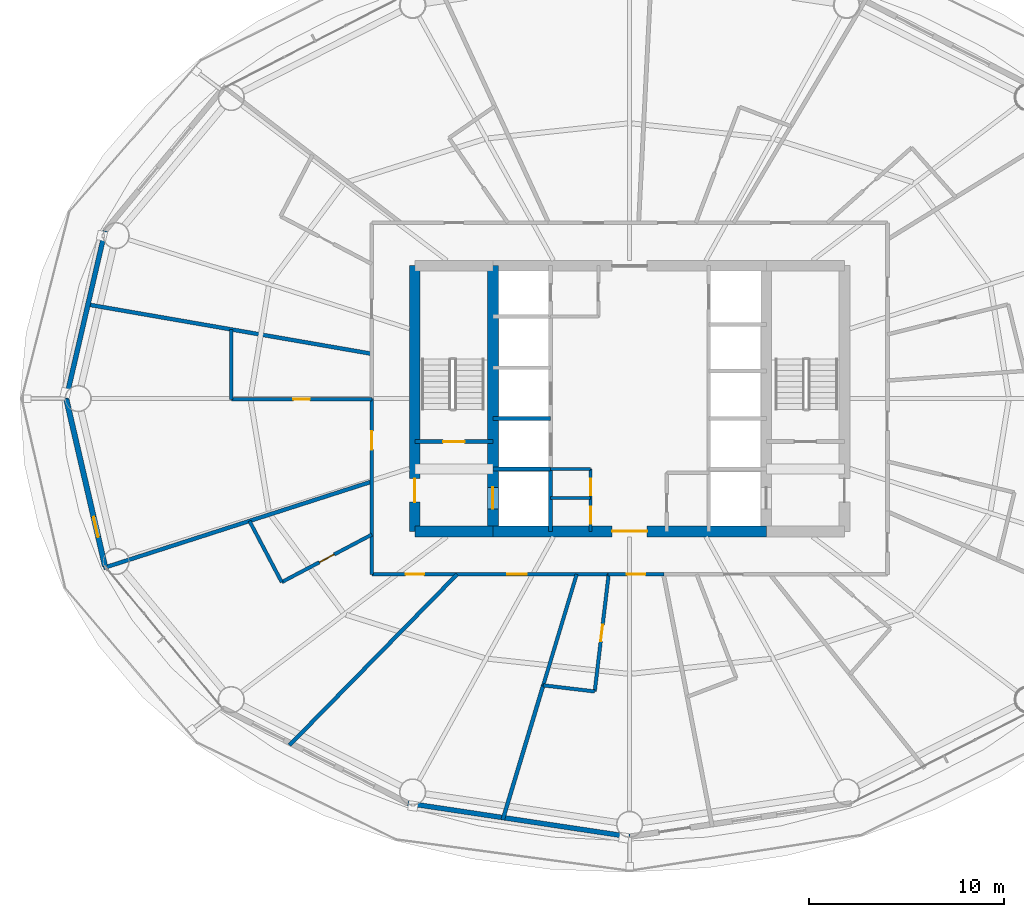
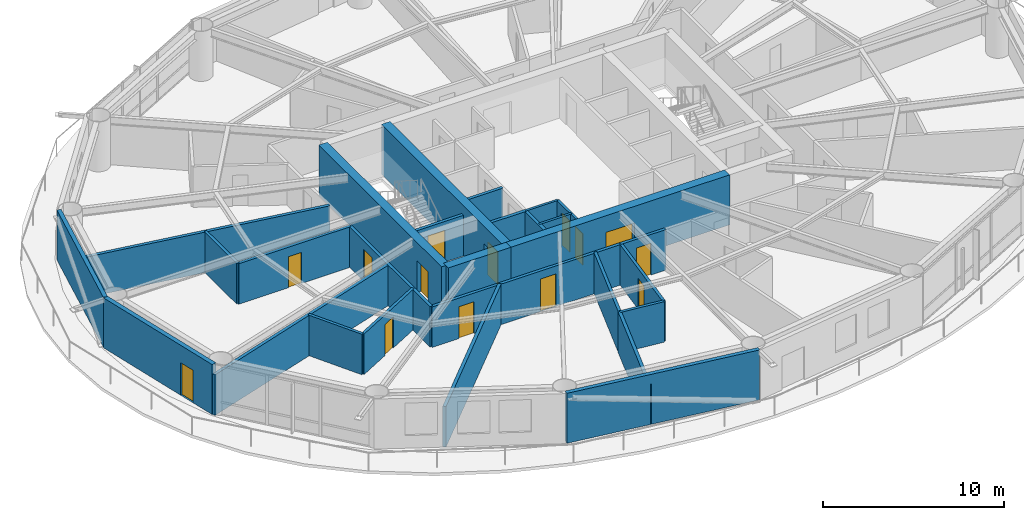
# One storey, part 18 of 24: 28 walls, 14 doors, 14 openings.
"""IFC4 building model written with IfcOpenShell, lengths in metres."""

from ifc_helpers import new_model, si_unit, direction, frame, frame_2d, origin, place, context, subcontext, project, spatial, rectangle, extrude, material, layer, layer_set, type_object, element, fill, save


model = new_model("IFC4")

# Units and contexts
model_context = context("Model", 3, precision=1e-05, world=origin(), true_north=direction((0.0, 1.0)))
body_context = subcontext(model_context, "Body", "Model", "MODEL_VIEW")
ifc_project = project(units=[si_unit("LENGTHUNIT", "METRE"), si_unit("AREAUNIT", "SQUARE_METRE"), si_unit("VOLUMEUNIT", "CUBIC_METRE"), si_unit("PLANEANGLEUNIT", "RADIAN"), si_unit("MASSUNIT", "GRAM", prefix="KILO")], contexts=[model_context])

# Site, building, storey
site_placement = place(None, origin())
site = spatial("IfcSite", under=ifc_project, at=site_placement, CompositionType="ELEMENT")
building_placement = place(site_placement, origin())
building = spatial("IfcBuilding", under=site, at=building_placement, Name="Sarneth Arch Tower", CompositionType="ELEMENT")
storey_placement = place(building_placement, frame((0.0, 0.0, 87.60009765625)))
storey = spatial("IfcBuildingStorey", under=building, at=storey_placement, Name="L21", CompositionType="ELEMENT", Elevation=87.60009765625)

# Wall
ifc_material_1 = material(Name="Concrete C60/75", Category="concrete")
ifc_layer_1 = layer(ifc_material_1, 0.550048828125)
ifc_layer_set_1 = layer_set([ifc_layer_1], Name="Concrete C60/75")
wall_type_1 = type_object("IfcWallType", Name="WALL-CORE-550", PredefinedType="SHEAR", material=ifc_layer_set_1)
wall_1_placement = place(storey_placement, frame((37.0, 35.199951171875, 0.0), z_axis=(0.0, 0.0, 1.0), x_axis=(1.0, 0.0, 0.0)))
element("IfcWall", 1, at=wall_1_placement, inside=storey, type_object=wall_type_1, Name="L21 Core shear wall S-W", PredefinedType="SHEAR", context=body_context, shape_type="SweptSolid", body=[
    extrude(rectangle(XDim=4.0, YDim=0.550048828125, at=frame_2d((2.0, 0.0))), origin(), (0.0, 0.0, 1.0), 3.3798828125),
])

# Wall, opening, door
wall_2_placement = place(storey_placement, frame((41.0, 35.199951171875, 0.0), z_axis=(0.0, 0.0, 1.0), x_axis=(1.0, 0.0, 0.0)))
wall_2 = element("IfcWall", 2, at=wall_2_placement, inside=storey, type_object=wall_type_1, Name="L21 Core shear wall S-M", PredefinedType="SHEAR", context=body_context, shape_type="SweptSolid", body=[
    extrude(rectangle(XDim=14.0, YDim=0.550048828125, at=frame_2d((7.0, 0.0))), origin(), (0.0, 0.0, 1.0), 3.3798828125),
])
opening_1_placement = place(wall_2_placement, frame((6.10009765625, 0.0, 0.0)))
opening_1 = element("IfcOpeningElement", 3, at=opening_1_placement, cuts=wall_2, Name="Opening FD-01", PredefinedType="OPENING", context=body_context, shape_type="SweptSolid", body=[
    extrude(rectangle(XDim=1.800048828125, YDim=2.25, at=frame_2d((0.89990234375, 1.125))), frame((0.0, 0.284912109375, 0.0), z_axis=(0.0, -1.0, 0.0), x_axis=(1.0, 0.0, 0.0)), (0.0, 0.0, 1.0), 0.570068359375),
])
ifc_material_2 = material(Name="Galvanised Steel S275 fire door set", Category="steel")
door_type_1 = type_object("IfcDoorType", Name="DR-FD90-1800", OperationType="DOUBLE_DOOR_SINGLE_SWING", PredefinedType="DOOR", material=ifc_material_2)
door_1_placement = place(opening_1_placement, origin())
door_1 = element("IfcDoor", 4, at=door_1_placement, inside=storey, type_object=door_type_1, Name="L21 Central lift lobby south door", OperationType="DOUBLE_DOOR_SINGLE_SWING", OverallHeight=2.25, OverallWidth=1.800048828125, PredefinedType="DOOR", context=body_context, shape_type="SweptSolid", body=[
    extrude(rectangle(XDim=1.800048828125, YDim=2.25, at=frame_2d((0.89990234375, 1.125))), frame((0.0, 0.02490234375, 0.0), z_axis=(0.0, -1.0, 0.0), x_axis=(1.0, 0.0, 0.0)), (0.0, 0.0, 1.0), 0.050048828125),
])
fill(opening_1, door_1)

wall_3_placement = place(storey_placement, frame((37.0, 35.199951171875, 0.0), z_axis=(0.0, 0.0, 1.0), x_axis=(0.0, 1.0, 0.0)))
wall_3 = element("IfcWall", 5, at=wall_3_placement, inside=storey, type_object=wall_type_1, Name="L21 Core shear wall W", PredefinedType="SHEAR", context=body_context, shape_type="SweptSolid", body=[
    extrude(rectangle(XDim=13.60009765625, YDim=0.550048828125, at=frame_2d((6.800048828125, 0.0))), origin(), (0.0, 0.0, 1.0), 3.3798828125),
])
opening_2_placement = place(wall_3_placement, frame((1.5, 0.0, 0.0)))
opening_2 = element("IfcOpeningElement", 6, at=opening_2_placement, cuts=wall_3, Name="Opening FD-02", PredefinedType="OPENING", context=body_context, shape_type="SweptSolid", body=[
    extrude(rectangle(XDim=1.199951171875, YDim=2.14990234375, at=frame_2d((0.60009765625, 1.074951171875))), frame((0.0, 0.284912109375, 0.0), z_axis=(0.0, -1.0, 0.0), x_axis=(1.0, 0.0, 0.0)), (0.0, 0.0, 1.0), 0.570068359375),
])
ifc_material_3 = material(Name="Galvanised Steel S275 fire door set", Category="steel")
door_type_2 = type_object("IfcDoorType", Name="DR-FD90-1200", OperationType="SINGLE_SWING_LEFT", PredefinedType="DOOR", material=ifc_material_3)
door_2_placement = place(opening_2_placement, origin())
door_2 = element("IfcDoor", 7, at=door_2_placement, inside=storey, type_object=door_type_2, Name="L21 Firefighting lobby 1 exit door", OperationType="SINGLE_SWING_LEFT", OverallHeight=2.14990234375, OverallWidth=1.199951171875, PredefinedType="DOOR", context=body_context, shape_type="SweptSolid", body=[
    extrude(rectangle(XDim=1.199951171875, YDim=2.14990234375, at=frame_2d((0.60009765625, 1.074951171875))), frame((0.0, 0.02490234375, 0.0), z_axis=(0.0, -1.0, 0.0), x_axis=(1.0, 0.0, 0.0)), (0.0, 0.0, 1.0), 0.050048828125),
])
fill(opening_2, door_2)

wall_4_placement = place(storey_placement, frame((41.0, 35.199951171875, 0.0), z_axis=(0.0, 0.0, 1.0), x_axis=(0.0, 1.0, 0.0)))
wall_4 = element("IfcWall", 8, at=wall_4_placement, inside=storey, type_object=wall_type_1, Name="L21 Core shear wall WEB-W", PredefinedType="SHEAR", context=body_context, shape_type="SweptSolid", body=[
    extrude(rectangle(XDim=13.60009765625, YDim=0.550048828125, at=frame_2d((6.800048828125, 0.0))), origin(), (0.0, 0.0, 1.0), 3.3798828125),
])
opening_3_placement = place(wall_4_placement, frame((1.14990234375, 0.0, 0.0)))
opening_3 = element("IfcOpeningElement", 9, at=opening_3_placement, cuts=wall_4, Name="Opening LD-1", PredefinedType="OPENING", context=body_context, shape_type="SweptSolid", body=[
    extrude(rectangle(XDim=1.10009765625, YDim=2.199951171875, at=frame_2d((0.550048828125, 1.10009765625))), frame((0.0, 0.284912109375, 0.0), z_axis=(0.0, -1.0, 0.0), x_axis=(1.0, 0.0, 0.0)), (0.0, 0.0, 1.0), 0.570068359375),
])
ifc_material_4 = material(Name="Brushed Stainless Steel 304 lift landing door", Category="steel")
door_type_3 = type_object("IfcDoorType", Name="DR-LIFT-SLIDE-1100", OperationType="SLIDING_TO_LEFT", PredefinedType="DOOR", material=ifc_material_4)
door_3_placement = place(opening_3_placement, origin())
door_3 = element("IfcDoor", 10, at=door_3_placement, inside=storey, type_object=door_type_3, Name="L21 Firefighting lift landing door FL-1", OperationType="SLIDING_TO_LEFT", OverallHeight=2.199951171875, OverallWidth=1.10009765625, PredefinedType="DOOR", context=body_context, shape_type="SweptSolid", body=[
    extrude(rectangle(XDim=1.10009765625, YDim=2.199951171875, at=frame_2d((0.550048828125, 1.10009765625))), frame((0.0, 0.02490234375, 0.0), z_axis=(0.0, -1.0, 0.0), x_axis=(1.0, 0.0, 0.0)), (0.0, 0.0, 1.0), 0.050048828125),
])
fill(opening_3, door_3)

# Wall, openings, doors
ifc_material_5 = material(Name="Double steel-stud corridor fire wall", Category="steel")
ifc_layer_2 = layer(ifc_material_5, 0.18994140625)
ifc_layer_set_2 = layer_set([ifc_layer_2], Name="Double steel-stud corridor fire wall")
wall_type_2 = type_object("IfcWallType", Name="WALL-CORR-190", PredefinedType="PARTITIONING", material=ifc_layer_set_2)
wall_5_placement = place(storey_placement, frame((46.958984375, 33.0, 0.0), z_axis=(0.0, 0.0, 1.0), x_axis=(-1.0, 0.0, 0.0)))
wall_5 = element("IfcWall", 11, at=wall_5_placement, inside=storey, type_object=wall_type_2, Name="L21 Interior partition W-L21-TP-019", PredefinedType="PARTITIONING", context=body_context, shape_type="SweptSolid", body=[
    extrude(rectangle(XDim=12.158935546875, YDim=0.18994140625, at=frame_2d((6.07958984375, 0.0))), origin(), (0.0, 0.0, 1.0), 2.739990234375),
])
opening_4_placement = place(wall_5_placement, frame((4.23681640625, 0.0, 0.0)))
opening_4 = element("IfcOpeningElement", 12, at=opening_4_placement, cuts=wall_5, Name="Opening FD-08", PredefinedType="OPENING", context=body_context, shape_type="SweptSolid", body=[
    extrude(rectangle(XDim=1.0, YDim=2.199951171875, at=frame_2d((0.5, 1.10009765625))), frame((0.0, 0.10498046875, 0.0), z_axis=(0.0, -1.0, 0.0), x_axis=(1.0, 0.0, 0.0)), (0.0, 0.0, 1.0), 0.2099609375),
])
opening_5_placement = place(wall_5_placement, frame((9.477783203125, 0.0, 0.0)))
opening_5 = element("IfcOpeningElement", 13, at=opening_5_placement, cuts=wall_5, Name="Opening FD-09", PredefinedType="OPENING", context=body_context, shape_type="SweptSolid", body=[
    extrude(rectangle(XDim=0.949951171875, YDim=2.14990234375, at=frame_2d((0.47509765625, 1.074951171875))), frame((0.0, 0.10498046875, 0.0), z_axis=(0.0, -1.0, 0.0), x_axis=(1.0, 0.0, 0.0)), (0.0, 0.0, 1.0), 0.2099609375),
])
ifc_material_6 = material(Name="Hardwood timber acoustic fire door", Category="wood")
door_type_4 = type_object("IfcDoorType", Name="DR-FD60-1000", OperationType="SINGLE_SWING_LEFT", PredefinedType="DOOR", material=ifc_material_6)
door_4_placement = place(opening_4_placement, origin())
door_4 = element("IfcDoor", 14, at=door_4_placement, inside=storey, type_object=door_type_4, Name="L21 Interior door DR-L21-AMN-09", OperationType="SINGLE_SWING_LEFT", OverallHeight=2.199951171875, OverallWidth=1.0, PredefinedType="DOOR", context=body_context, shape_type="SweptSolid", body=[
    extrude(rectangle(XDim=1.0, YDim=2.199951171875, at=frame_2d((0.5, 1.10009765625))), frame((0.0, 0.02490234375, 0.0), z_axis=(0.0, -1.0, 0.0), x_axis=(1.0, 0.0, 0.0)), (0.0, 0.0, 1.0), 0.050048828125),
])
fill(opening_4, door_4)
ifc_material_7 = material(Name="Hardwood timber hotel entrance fire door", Category="wood")
door_type_5 = type_object("IfcDoorType", Name="DR-FD60-950", OperationType="SINGLE_SWING_RIGHT", PredefinedType="DOOR", material=ifc_material_7)
door_5_placement = place(opening_5_placement, origin())
door_5 = element("IfcDoor", 15, at=door_5_placement, inside=storey, type_object=door_type_5, Name="L21 Interior door DR-L21-KEY-08", OperationType="SINGLE_SWING_RIGHT", OverallHeight=2.14990234375, OverallWidth=0.949951171875, PredefinedType="DOOR", context=body_context, shape_type="SweptSolid", body=[
    extrude(rectangle(XDim=0.949951171875, YDim=2.14990234375, at=frame_2d((0.47509765625, 1.074951171875))), frame((0.0, 0.02490234375, 0.0), z_axis=(0.0, -1.0, 0.0), x_axis=(1.0, 0.0, 0.0)), (0.0, 0.0, 1.0), 0.050048828125),
])
fill(opening_5, door_5)

# Wall, opening, door
wall_6_placement = place(storey_placement, frame((34.800048828125, 33.0, 0.0), z_axis=(0.0, 0.0, 1.0), x_axis=(0.0, 1.0, 0.0)))
wall_6 = element("IfcWall", 16, at=wall_6_placement, inside=storey, type_object=wall_type_2, Name="L21 Interior partition W-L21-TP-014", PredefinedType="PARTITIONING", context=body_context, shape_type="SweptSolid", body=[
    extrude(rectangle(XDim=9.003662109375, YDim=0.18994140625, at=frame_2d((4.501953125, 0.0))), origin(), (0.0, 0.0, 1.0), 2.739990234375),
])
opening_6_placement = place(wall_6_placement, frame((6.385009765625, 0.0, 0.0)))
opening_6 = element("IfcOpeningElement", 17, at=opening_6_placement, cuts=wall_6, Name="Opening FD-09", PredefinedType="OPENING", context=body_context, shape_type="SweptSolid", body=[
    extrude(rectangle(XDim=0.949951171875, YDim=2.14990234375, at=frame_2d((0.47509765625, 1.074951171875))), frame((0.0, 0.10498046875, 0.0), z_axis=(0.0, -1.0, 0.0), x_axis=(1.0, 0.0, 0.0)), (0.0, 0.0, 1.0), 0.2099609375),
])
door_6_placement = place(opening_6_placement, origin())
door_6 = element("IfcDoor", 18, at=door_6_placement, inside=storey, type_object=door_type_5, Name="L21 Interior door DR-L21-KEY-07", OperationType="SINGLE_SWING_RIGHT", OverallHeight=2.14990234375, OverallWidth=0.949951171875, PredefinedType="DOOR", context=body_context, shape_type="SweptSolid", body=[
    extrude(rectangle(XDim=0.949951171875, YDim=2.14990234375, at=frame_2d((0.47509765625, 1.074951171875))), frame((0.0, 0.02490234375, 0.0), z_axis=(0.0, -1.0, 0.0), x_axis=(1.0, 0.0, 0.0)), (0.0, 0.0, 1.0), 0.050048828125),
])
fill(opening_6, door_6)

wall_7_placement = place(storey_placement, frame((49.76953125, 33.0, 0.0), z_axis=(0.0, 0.0, 1.0), x_axis=(-1.0, 0.0, 0.0)))
wall_7 = element("IfcWall", 19, at=wall_7_placement, inside=storey, type_object=wall_type_2, Name="L21 Interior partition W-L21-TP-020", PredefinedType="PARTITIONING", context=body_context, shape_type="SweptSolid", body=[
    extrude(rectangle(XDim=2.875, YDim=0.18994140625, at=frame_2d((1.4375, 0.0))), origin(), (0.0, 0.0, 1.0), 2.739990234375),
])
opening_7_placement = place(wall_7_placement, frame((0.96240234375, 0.0, 0.0)))
opening_7 = element("IfcOpeningElement", 20, at=opening_7_placement, cuts=wall_7, Name="Opening FD-09", PredefinedType="OPENING", context=body_context, shape_type="SweptSolid", body=[
    extrude(rectangle(XDim=0.949951171875, YDim=2.14990234375, at=frame_2d((0.47509765625, 1.074951171875))), frame((0.0, 0.10498046875, 0.0), z_axis=(0.0, -1.0, 0.0), x_axis=(1.0, 0.0, 0.0)), (0.0, 0.0, 1.0), 0.2099609375),
])
door_7_placement = place(opening_7_placement, origin())
door_7 = element("IfcDoor", 21, at=door_7_placement, inside=storey, type_object=door_type_5, Name="L21 Interior door DR-L21-KEY-10", OperationType="SINGLE_SWING_RIGHT", OverallHeight=2.14990234375, OverallWidth=0.949951171875, PredefinedType="DOOR", context=body_context, shape_type="SweptSolid", body=[
    extrude(rectangle(XDim=0.949951171875, YDim=2.14990234375, at=frame_2d((0.47509765625, 1.074951171875))), frame((0.0, 0.02490234375, 0.0), z_axis=(0.0, -1.0, 0.0), x_axis=(1.0, 0.0, 0.0)), (0.0, 0.0, 1.0), 0.050048828125),
])
fill(opening_7, door_7)

# Walls
ifc_material_8 = material(Name="Extruded terracotta rainscreen on Concrete C40/50 backing", Category="masonry")
ifc_layer_3 = layer(ifc_material_8, 0.25)
ifc_layer_set_3 = layer_set([ifc_layer_3], Name="Extruded terracotta rainscreen on Concrete C40/50 backing")
wall_type_3 = type_object("IfcWallType", Name="WALL-EXT-SPAND-250", PredefinedType="SOLIDWALL", material=ifc_layer_set_3)
wall_8_placement = place(storey_placement, frame((21.138671875, 50.58349609375, 0.0), z_axis=(0.0, 0.0, 1.0), x_axis=(-0.22558597182, -0.974223264616, 0.0)))
element("IfcWall", 22, at=wall_8_placement, inside=storey, type_object=wall_type_3, Name="L21 Terracotta perimeter wall 08", PredefinedType="SOLIDWALL", context=body_context, shape_type="SweptSolid", body=[
    extrude(rectangle(XDim=8.810546875, YDim=0.25, at=frame_2d((4.4052734375, 0.0))), origin(), (0.0, 0.0, 1.0), 3.3798828125),
])
wall_9_placement = place(storey_placement, frame((36.648681640625, 21.27734375, 0.0), z_axis=(0.0, 0.0, 1.0), x_axis=(0.988877774656, -0.148730450117, 0.0)))
element("IfcWall", 23, at=wall_9_placement, inside=storey, type_object=wall_type_3, Name="L21 Terracotta perimeter wall 12", PredefinedType="SOLIDWALL", context=body_context, shape_type="SweptSolid", body=[
    extrude(rectangle(XDim=11.47900390625, YDim=0.25, at=frame_2d((5.739501953125, 0.0))), origin(), (0.0, 0.0, 1.0), 3.3798828125),
])

# Wall, opening, door
ifc_material_9 = material(Name="Extruded terracotta rainscreen on Concrete C40/50 backing", Category="masonry")
ifc_layer_4 = layer(ifc_material_9, 0.280029296875)
ifc_layer_set_4 = layer_set([ifc_layer_4], Name="Extruded terracotta rainscreen on Concrete C40/50 backing")
wall_type_4 = type_object("IfcWallType", Name="WALL-EXT-TERRA-280", PredefinedType="SOLIDWALL", material=ifc_layer_set_4)
wall_10_placement = place(storey_placement, frame((19.151123046875, 42.0, 0.0), z_axis=(0.0, 0.0, 1.0), x_axis=(0.22558597182, -0.974223264616, 0.0)))
wall_10 = element("IfcWall", 24, at=wall_10_placement, inside=storey, type_object=wall_type_4, Name="L21 Terracotta perimeter wall 09", PredefinedType="SOLIDWALL", context=body_context, shape_type="SweptSolid", body=[
    extrude(rectangle(XDim=8.810546875, YDim=0.280029296875, at=frame_2d((4.4052734375, 0.0))), origin(), (0.0, 0.0, 1.0), 3.3798828125),
])
opening_8_placement = place(wall_10_placement, frame((6.224609375, 0.0, 0.0)))
opening_8 = element("IfcOpeningElement", 25, at=opening_8_placement, cuts=wall_10, Name="Opening BD-4", PredefinedType="OPENING", context=body_context, shape_type="SweptSolid", body=[
    extrude(rectangle(XDim=1.050048828125, YDim=2.199951171875, at=frame_2d((0.52490234375, 1.10009765625))), frame((0.0, 0.14990234375, 0.0), z_axis=(0.0, -1.0, 0.0), x_axis=(1.0, 0.0, 0.0)), (0.0, 0.0, 1.0), 0.300048828125),
])
ifc_material_10 = material(Name="Thermally broken Aluminium 6063-T6 and laminated safety glass", Category="aluminium")
door_type_6 = type_object("IfcDoorType", Name="DR-BALC-GLZ-1050", OperationType="SINGLE_SWING_RIGHT", PredefinedType="DOOR", material=ifc_material_10)
door_8_placement = place(opening_8_placement, origin())
door_8 = element("IfcDoor", 26, at=door_8_placement, inside=storey, type_object=door_type_6, Name="L21 Balcony glazed door 09", OperationType="SINGLE_SWING_RIGHT", OverallHeight=2.199951171875, OverallWidth=1.050048828125, PredefinedType="DOOR", context=body_context, shape_type="SweptSolid", body=[
    extrude(rectangle(XDim=1.050048828125, YDim=2.199951171875, at=frame_2d((0.52490234375, 1.10009765625))), frame((0.0, 0.02490234375, 0.0), z_axis=(0.0, -1.0, 0.0), x_axis=(1.0, 0.0, 0.0)), (0.0, 0.0, 1.0), 0.050048828125),
])
fill(opening_8, door_8)

# Walls
ifc_material_11 = material(Name="Acoustic gypsum stud partition", Category="gypsum")
ifc_layer_5 = layer(ifc_material_11, 0.14990234375)
ifc_layer_set_5 = layer_set([ifc_layer_5], Name="Acoustic gypsum stud partition")
wall_type_5 = type_object("IfcWallType", Name="WALL-PART-150", PredefinedType="PARTITIONING", material=ifc_layer_set_5)
for number, where, z_axis, x_axis, name in (
    (27, (43.949951171875, 36.89990234375, 0.0), (0.0, 0.0, 1.0), (1.0, 0.0, 0.0), "L21 Interior partition W-L21-CSUP-M"),
    (28, (43.949951171875, 38.39990234375, 0.0), (0.0, 0.0, 1.0), (1.0, 0.0, 0.0), "L21 Interior partition W-L21-CSUP-N"),
):
    element("IfcWall", number, at=place(storey_placement, frame(where, z_axis=z_axis, x_axis=x_axis)), inside=storey, type_object=wall_type_5, Name=name, PredefinedType="PARTITIONING", context=body_context, shape_type="SweptSolid", body=[
        extrude(rectangle(XDim=2.050048828125, YDim=0.14990234375, at=frame_2d((1.02490234375, 0.0))), origin(), (0.0, 0.0, 1.0), 2.739990234375),
    ])

# Wall, openings, doors
wall_11_placement = place(storey_placement, frame((46.0, 35.199951171875, 0.0), z_axis=(0.0, 0.0, 1.0), x_axis=(0.0, 1.0, 0.0)))
wall_11 = element("IfcWall", 29, at=wall_11_placement, inside=storey, type_object=wall_type_5, Name="L21 Interior partition W-L21-CSUP-E", PredefinedType="PARTITIONING", context=body_context, shape_type="SweptSolid", body=[
    extrude(rectangle(XDim=3.199951171875, YDim=0.14990234375, at=frame_2d((1.60009765625, 0.0))), origin(), (0.0, 0.0, 1.0), 2.739990234375),
])
opening_9_placement = place(wall_11_placement, frame((0.39990234375, 0.0, 0.0)))
opening_9 = element("IfcOpeningElement", 30, at=opening_9_placement, cuts=wall_11, Name="Opening FD-11", PredefinedType="OPENING", context=body_context, shape_type="SweptSolid", body=[
    extrude(rectangle(XDim=0.85009765625, YDim=2.14990234375, at=frame_2d((0.425048828125, 1.074951171875))), frame((0.0, 0.0849609375, 0.0), z_axis=(0.0, -1.0, 0.0), x_axis=(1.0, 0.0, 0.0)), (0.0, 0.0, 1.0), 0.169921875),
])
opening_10_placement = place(wall_11_placement, frame((1.85009765625, 0.0, 0.0)))
opening_10 = element("IfcOpeningElement", 31, at=opening_10_placement, cuts=wall_11, Name="Opening FD-11", PredefinedType="OPENING", context=body_context, shape_type="SweptSolid", body=[
    extrude(rectangle(XDim=0.85009765625, YDim=2.14990234375, at=frame_2d((0.425048828125, 1.074951171875))), frame((0.0, 0.0849609375, 0.0), z_axis=(0.0, -1.0, 0.0), x_axis=(1.0, 0.0, 0.0)), (0.0, 0.0, 1.0), 0.169921875),
])
ifc_material_12 = material(Name="Galvanised Steel S275 closet fire door", Category="steel")
door_type_7 = type_object("IfcDoorType", Name="DR-FD60-850", OperationType="SINGLE_SWING_LEFT", PredefinedType="DOOR", material=ifc_material_12)
door_9_placement = place(opening_9_placement, origin())
door_9 = element("IfcDoor", 32, at=door_9_placement, inside=storey, type_object=door_type_7, Name="L21 Interior door DR-L21-CSUP1", OperationType="SINGLE_SWING_LEFT", OverallHeight=2.14990234375, OverallWidth=0.85009765625, PredefinedType="DOOR", context=body_context, shape_type="SweptSolid", body=[
    extrude(rectangle(XDim=0.85009765625, YDim=2.14990234375, at=frame_2d((0.425048828125, 1.074951171875))), frame((0.0, 0.02490234375, 0.0), z_axis=(0.0, -1.0, 0.0), x_axis=(1.0, 0.0, 0.0)), (0.0, 0.0, 1.0), 0.050048828125),
])
fill(opening_9, door_9)
door_10_placement = place(opening_10_placement, origin())
door_10 = element("IfcDoor", 33, at=door_10_placement, inside=storey, type_object=door_type_7, Name="L21 Interior door DR-L21-CSUP2", OperationType="SINGLE_SWING_RIGHT", OverallHeight=2.14990234375, OverallWidth=0.85009765625, PredefinedType="DOOR", context=body_context, shape_type="SweptSolid", body=[
    extrude(rectangle(XDim=0.85009765625, YDim=2.14990234375, at=frame_2d((0.425048828125, 1.074951171875))), frame((0.0, 0.02490234375, 0.0), z_axis=(0.0, -1.0, 0.0), x_axis=(1.0, 0.0, 0.0)), (0.0, 0.0, 1.0), 0.050048828125),
])
fill(opening_10, door_10)

# Wall, opening, door
ifc_material_13 = material(Name="Moisture-resistant plumbing chase wall", Category="gypsum")
ifc_layer_6 = layer(ifc_material_13, 0.179931640625)
ifc_layer_set_6 = layer_set([ifc_layer_6], Name="Moisture-resistant plumbing chase wall")
wall_type_6 = type_object("IfcWallType", Name="WALL-PLUMB-180", PredefinedType="PLUMBINGWALL", material=ifc_layer_set_6)
wall_12_placement = place(storey_placement, frame((27.604248046875, 41.956298828125, 0.0), z_axis=(0.0, 0.0, 1.0), x_axis=(0.999997715604, 0.002137472216, 0.0)))
wall_12 = element("IfcWall", 34, at=wall_12_placement, inside=storey, type_object=wall_type_6, Name="L21 Interior partition W-L21-TP-053", PredefinedType="PLUMBINGWALL", context=body_context, shape_type="SweptSolid", body=[
    extrude(rectangle(XDim=7.19580078125, YDim=0.179931640625, at=frame_2d((3.597900390625, 0.0))), origin(), (0.0, 0.0, 1.0), 2.739990234375),
])
opening_11_placement = place(wall_12_placement, frame((3.1728515625, 0.0, 0.0)))
opening_11 = element("IfcOpeningElement", 35, at=opening_11_placement, cuts=wall_12, Name="Opening ID-02", PredefinedType="OPENING", context=body_context, shape_type="SweptSolid", body=[
    extrude(rectangle(XDim=0.85009765625, YDim=2.10009765625, at=frame_2d((0.425048828125, 1.050048828125))), frame((0.0, 0.099853515625, 0.0), z_axis=(0.0, -1.0, 0.0), x_axis=(1.0, 0.0, 0.0)), (0.0, 0.0, 1.0), 0.199951171875),
])
ifc_material_14 = material(Name="Moisture-resistant bathroom timber door", Category="wood")
door_type_8 = type_object("IfcDoorType", Name="DR-INT-850", OperationType="SINGLE_SWING_RIGHT", PredefinedType="DOOR", material=ifc_material_14)
door_11_placement = place(opening_11_placement, origin())
door_11 = element("IfcDoor", 36, at=door_11_placement, inside=storey, type_object=door_type_8, Name="L21 Interior door DR-L21-ENS-07", OperationType="SINGLE_SWING_RIGHT", OverallHeight=2.10009765625, OverallWidth=0.85009765625, PredefinedType="DOOR", context=body_context, shape_type="SweptSolid", body=[
    extrude(rectangle(XDim=0.85009765625, YDim=2.10009765625, at=frame_2d((0.425048828125, 1.050048828125))), frame((0.0, 0.02490234375, 0.0), z_axis=(0.0, -1.0, 0.0), x_axis=(1.0, 0.0, 0.0)), (0.0, 0.0, 1.0), 0.050048828125),
])
fill(opening_11, door_11)

wall_13_placement = place(storey_placement, frame((46.9267578125, 33.0, 0.0), z_axis=(0.0, 0.0, 1.0), x_axis=(-0.118379942802, -0.99296837268, 0.0)))
wall_13 = element("IfcWall", 37, at=wall_13_placement, inside=storey, type_object=wall_type_6, Name="L21 Interior partition W-L21-TP-061", PredefinedType="PLUMBINGWALL", context=body_context, shape_type="SweptSolid", body=[
    extrude(rectangle(XDim=6.03857421875, YDim=0.179931640625, at=frame_2d((3.019287109375, 0.0))), origin(), (0.0, 0.0, 1.0), 2.739990234375),
])
opening_12_placement = place(wall_13_placement, frame((2.59423828125, 0.0, 0.0)))
opening_12 = element("IfcOpeningElement", 38, at=opening_12_placement, cuts=wall_13, Name="Opening ID-02", PredefinedType="OPENING", context=body_context, shape_type="SweptSolid", body=[
    extrude(rectangle(XDim=0.85009765625, YDim=2.10009765625, at=frame_2d((0.425048828125, 1.050048828125))), frame((0.0, 0.099853515625, 0.0), z_axis=(0.0, -1.0, 0.0), x_axis=(1.0, 0.0, 0.0)), (0.0, 0.0, 1.0), 0.199951171875),
])
door_12_placement = place(opening_12_placement, origin())
door_12 = element("IfcDoor", 39, at=door_12_placement, inside=storey, type_object=door_type_8, Name="L21 Interior door DR-L21-ENS-10", OperationType="SINGLE_SWING_LEFT", OverallHeight=2.10009765625, OverallWidth=0.85009765625, PredefinedType="DOOR", context=body_context, shape_type="SweptSolid", body=[
    extrude(rectangle(XDim=0.85009765625, YDim=2.10009765625, at=frame_2d((0.425048828125, 1.050048828125))), frame((0.0, 0.02490234375, 0.0), z_axis=(0.0, -1.0, 0.0), x_axis=(1.0, 0.0, 0.0)), (0.0, 0.0, 1.0), 0.050048828125),
])
fill(opening_12, door_12)

# Wall
wall_14_placement = place(storey_placement, frame((43.575927734375, 27.318359375, 0.0), z_axis=(0.0, 0.0, 1.0), x_axis=(0.288532873685, 0.957469989505, 0.0)))
element("IfcWall", 40, at=wall_14_placement, inside=storey, type_object=wall_type_6, Name="L21 Interior partition W-L21-TP-060", PredefinedType="PLUMBINGWALL", context=body_context, shape_type="SweptSolid", body=[
    extrude(rectangle(XDim=5.93408203125, YDim=0.179931640625, at=frame_2d((2.967041015625, 0.0))), origin(), (0.0, 0.0, 1.0), 2.739990234375),
])

# Wall, opening, door
wall_15_placement = place(storey_placement, frame((30.18701171875, 32.602294921875, 0.0), z_axis=(0.0, 0.0, 1.0), x_axis=(0.884469007168, 0.466598944877, 0.0)))
wall_15 = element("IfcWall", 41, at=wall_15_placement, inside=storey, type_object=wall_type_6, Name="L21 Interior partition W-L21-TP-057", PredefinedType="PLUMBINGWALL", context=body_context, shape_type="SweptSolid", body=[
    extrude(rectangle(XDim=5.215576171875, YDim=0.179931640625, at=frame_2d((2.60791015625, 0.0))), origin(), (0.0, 0.0, 1.0), 2.739990234375),
])
opening_13_placement = place(wall_15_placement, frame((2.182861328125, 0.0, 0.0)))
opening_13 = element("IfcOpeningElement", 42, at=opening_13_placement, cuts=wall_15, Name="Opening ID-02", PredefinedType="OPENING", context=body_context, shape_type="SweptSolid", body=[
    extrude(rectangle(XDim=0.85009765625, YDim=2.10009765625, at=frame_2d((0.425048828125, 1.050048828125))), frame((0.0, 0.099853515625, 0.0), z_axis=(0.0, -1.0, 0.0), x_axis=(1.0, 0.0, 0.0)), (0.0, 0.0, 1.0), 0.199951171875),
])
door_13_placement = place(opening_13_placement, origin())
door_13 = element("IfcDoor", 43, at=door_13_placement, inside=storey, type_object=door_type_8, Name="L21 Interior door DR-L21-ENS-08", OperationType="SINGLE_SWING_RIGHT", OverallHeight=2.10009765625, OverallWidth=0.85009765625, PredefinedType="DOOR", context=body_context, shape_type="SweptSolid", body=[
    extrude(rectangle(XDim=0.85009765625, YDim=2.10009765625, at=frame_2d((0.425048828125, 1.050048828125))), frame((0.0, 0.02490234375, 0.0), z_axis=(0.0, -1.0, 0.0), x_axis=(1.0, 0.0, 0.0)), (0.0, 0.0, 1.0), 0.050048828125),
])
fill(opening_13, door_13)

# Walls
wall_16_placement = place(storey_placement, frame((27.596435546875, 45.541259765625, 0.0), z_axis=(0.0, 0.0, 1.0), x_axis=(0.002179237538, -0.999997625459, 0.0)))
element("IfcWall", 44, at=wall_16_placement, inside=storey, type_object=wall_type_6, Name="L21 Interior partition W-L21-TP-052", PredefinedType="PLUMBINGWALL", context=body_context, shape_type="SweptSolid", body=[
    extrude(rectangle(XDim=3.5849609375, YDim=0.179931640625, at=frame_2d((1.79248046875, 0.0))), origin(), (0.0, 0.0, 1.0), 2.739990234375),
])
wall_17_placement = place(storey_placement, frame((28.53515625, 35.733154296875, 0.0), z_axis=(0.0, 0.0, 1.0), x_axis=(0.466638742987, -0.884448010651, 0.0)))
element("IfcWall", 45, at=wall_17_placement, inside=storey, type_object=wall_type_6, Name="L21 Interior partition W-L21-TP-056", PredefinedType="PLUMBINGWALL", context=body_context, shape_type="SweptSolid", body=[
    extrude(rectangle(XDim=3.539794921875, YDim=0.179931640625, at=frame_2d((1.77001953125, 0.0))), origin(), (0.0, 0.0, 1.0), 2.739990234375),
])
wall_18_placement = place(storey_placement, frame((46.2119140625, 27.00390625, 0.0), z_axis=(0.0, 0.0, 1.0), x_axis=(-0.992959714657, 0.118452543529, 0.0)))
element("IfcWall", 46, at=wall_18_placement, inside=storey, type_object=wall_type_6, Name="L21 Interior partition W-L21-TP-062", PredefinedType="PLUMBINGWALL", context=body_context, shape_type="SweptSolid", body=[
    extrude(rectangle(XDim=2.65478515625, YDim=0.179931640625, at=frame_2d((1.327392578125, 0.0))), origin(), (0.0, 0.0, 1.0), 2.739990234375),
])

# Wall, opening, door
ifc_material_15 = material(Name="Aerated concrete blockwork C25/30", Category="masonry")
ifc_layer_7 = layer(ifc_material_15, 0.199951171875)
ifc_layer_set_7 = layer_set([ifc_layer_7], Name="Aerated concrete blockwork C25/30")
wall_type_7 = type_object("IfcWallType", Name="WALL-SHAFT-200", PredefinedType="SOLIDWALL", material=ifc_layer_set_7)
wall_19_placement = place(storey_placement, frame((37.0, 39.800048828125, 0.0), z_axis=(0.0, 0.0, 1.0), x_axis=(1.0, 0.0, 0.0)))
wall_19 = element("IfcWall", 47, at=wall_19_placement, inside=storey, type_object=wall_type_7, Name="L21 Interior partition W-L21-ST1-S", PredefinedType="SOLIDWALL", context=body_context, shape_type="SweptSolid", body=[
    extrude(rectangle(XDim=4.0, YDim=0.199951171875, at=frame_2d((2.0, 0.0))), origin(), (0.0, 0.0, 1.0), 2.739990234375),
])
opening_14_placement = place(wall_19_placement, frame((1.449951171875, 0.0, 0.0)))
opening_14 = element("IfcOpeningElement", 48, at=opening_14_placement, cuts=wall_19, Name="Opening FD-03", PredefinedType="OPENING", context=body_context, shape_type="SweptSolid", body=[
    extrude(rectangle(XDim=1.10009765625, YDim=2.14990234375, at=frame_2d((0.550048828125, 1.074951171875))), frame((0.0, 0.10986328125, 0.0), z_axis=(0.0, -1.0, 0.0), x_axis=(1.0, 0.0, 0.0)), (0.0, 0.0, 1.0), 0.219970703125),
])
ifc_material_16 = material(Name="Galvanised Steel S275 fire door set", Category="steel")
door_type_9 = type_object("IfcDoorType", Name="DR-FD90-1100", OperationType="SINGLE_SWING_LEFT", PredefinedType="DOOR", material=ifc_material_16)
door_14_placement = place(opening_14_placement, origin())
door_14 = element("IfcDoor", 49, at=door_14_placement, inside=storey, type_object=door_type_9, Name="L21 Interior door DR-L21-ST1", OperationType="SINGLE_SWING_LEFT", OverallHeight=2.14990234375, OverallWidth=1.10009765625, PredefinedType="DOOR", context=body_context, shape_type="SweptSolid", body=[
    extrude(rectangle(XDim=1.10009765625, YDim=2.14990234375, at=frame_2d((0.550048828125, 1.074951171875))), frame((0.0, 0.02490234375, 0.0), z_axis=(0.0, -1.0, 0.0), x_axis=(1.0, 0.0, 0.0)), (0.0, 0.0, 1.0), 0.050048828125),
])
fill(opening_14, door_14)

# Walls
wall_20_placement = place(storey_placement, frame((43.949951171875, 35.199951171875, 0.0), z_axis=(0.0, 0.0, 1.0), x_axis=(0.0, 1.0, 0.0)))
element("IfcWall", 50, at=wall_20_placement, inside=storey, type_object=wall_type_7, Name="L21 Interior partition W-L21-FL1-E", PredefinedType="SOLIDWALL", context=body_context, shape_type="SweptSolid", body=[
    extrude(rectangle(XDim=3.199951171875, YDim=0.199951171875, at=frame_2d((1.60009765625, 0.0))), origin(), (0.0, 0.0, 1.0), 2.739990234375),
])
for number, where, z_axis, x_axis, name in (
    (51, (41.0, 38.39990234375, 0.0), (0.0, 0.0, 1.0), (1.0, 0.0, 0.0), "L21 Interior partition W-L21-FL1-N"),
    (52, (41.0, 40.97998046875, 0.0), (0.0, 0.0, 1.0), (1.0, 0.0, 0.0), "L21 Interior partition W-L21-WB-DIV-4098"),
):
    element("IfcWall", number, at=place(storey_placement, frame(where, z_axis=z_axis, x_axis=x_axis)), inside=storey, type_object=wall_type_7, Name=name, PredefinedType="SOLIDWALL", context=body_context, shape_type="SweptSolid", body=[
        extrude(rectangle(XDim=2.949951171875, YDim=0.199951171875, at=frame_2d((1.47509765625, 0.0))), origin(), (0.0, 0.0, 1.0), 2.739990234375),
    ])
ifc_material_17 = material(Name="Double steel-stud acoustic drywall", Category="steel")
ifc_layer_8 = layer(ifc_material_17, 0.199951171875)
ifc_layer_set_8 = layer_set([ifc_layer_8], Name="Double steel-stud acoustic drywall")
wall_type_8 = type_object("IfcWallType", Name="WALL-UNIT-200", PredefinedType="PARTITIONING", material=ifc_layer_set_8)
wall_21_placement = place(storey_placement, frame((39.16748046875, 33.0, 0.0), z_axis=(0.0, 0.0, 1.0), x_axis=(-0.700440086719, -0.713711205542, 0.0)))
element("IfcWall", 53, at=wall_21_placement, inside=storey, type_object=wall_type_8, Name="L21 Interior partition W-L21-TP-058", PredefinedType="PARTITIONING", context=body_context, shape_type="SweptSolid", body=[
    extrude(rectangle(XDim=12.251953125, YDim=0.199951171875, at=frame_2d((6.1259765625, 0.0))), origin(), (0.0, 0.0, 1.0), 2.739990234375),
])
wall_22_placement = place(storey_placement, frame((34.800048828125, 37.750244140625, 0.0), z_axis=(0.0, 0.0, 1.0), x_axis=(-0.951880556228, -0.306469258939, 0.0)))
element("IfcWall", 54, at=wall_22_placement, inside=storey, type_object=wall_type_8, Name="L21 Interior partition W-L21-TP-054", PredefinedType="PARTITIONING", context=body_context, shape_type="SweptSolid", body=[
    extrude(rectangle(XDim=14.427734375, YDim=0.199951171875, at=frame_2d((7.2138671875, 0.0))), origin(), (0.0, 0.0, 1.0), 2.739990234375),
])
wall_23_placement = place(storey_placement, frame((34.800048828125, 44.291015625, 0.0), z_axis=(0.0, 0.0, 1.0), x_axis=(-0.985271938133, 0.170994759944, 0.0)))
element("IfcWall", 55, at=wall_23_placement, inside=storey, type_object=wall_type_8, Name="L21 Interior partition W-L21-TP-050", PredefinedType="PARTITIONING", context=body_context, shape_type="SweptSolid", body=[
    extrude(rectangle(XDim=14.87158203125, YDim=0.199951171875, at=frame_2d((7.435791015625, 0.0))), origin(), (0.0, 0.0, 1.0), 2.739990234375),
])
wall_24_placement = place(storey_placement, frame((41.49951171875, 20.427490234375, 0.0), z_axis=(0.0, 0.0, 1.0), x_axis=(0.288514746458, 0.957475451944, 0.0)))
element("IfcWall", 56, at=wall_24_placement, inside=storey, type_object=wall_type_8, Name="L21 Interior partition W-L21-TP-059", PredefinedType="PARTITIONING", context=body_context, shape_type="SweptSolid", body=[
    extrude(rectangle(XDim=7.197021484375, YDim=0.199951171875, at=frame_2d((3.5986328125, 0.0))), origin(), (0.0, 0.0, 1.0), 2.739990234375),
])

save(model, "model.ifc")
